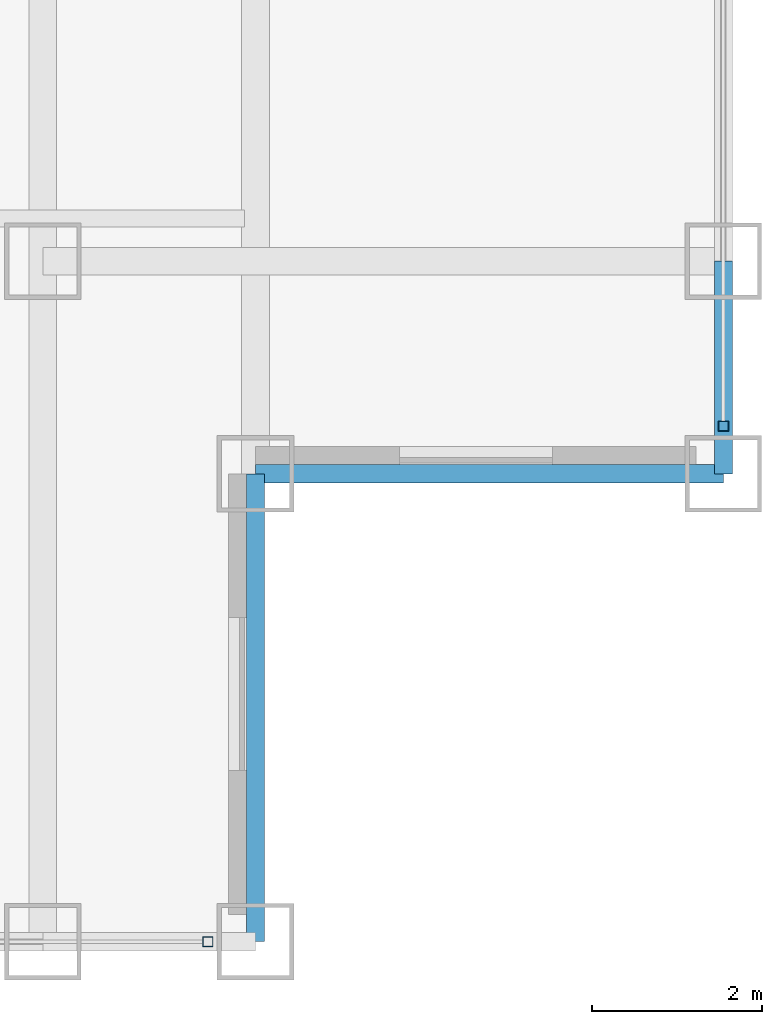
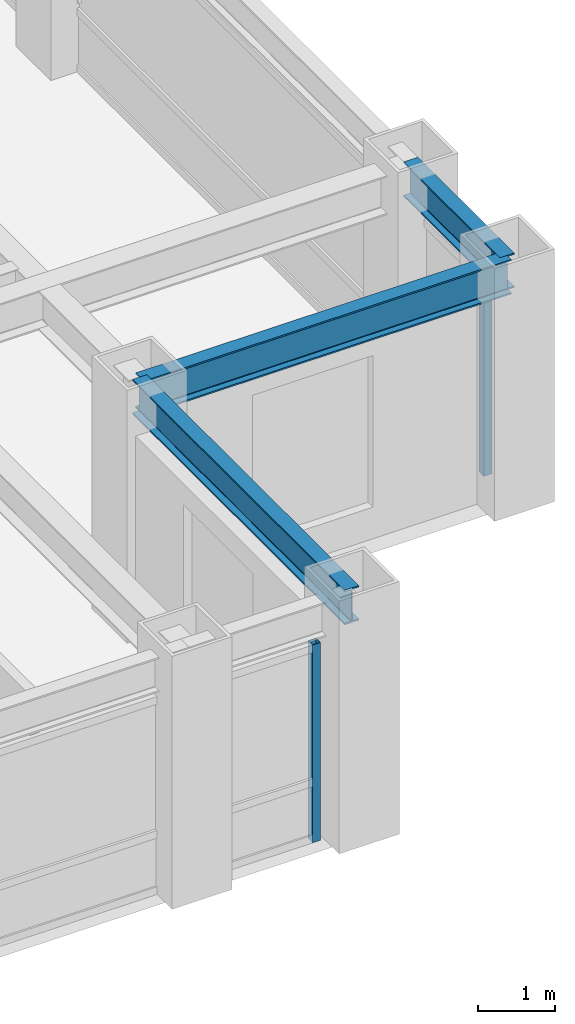
# One storey, part 8 of 22: 3 beams, 2 members, 2 elements without a shape of their own.
"""IFC4 building model written with IfcOpenShell, lengths in metres."""

from ifc_helpers import new_model, si_unit, direction, frame, origin, origin_2d, place, context, subcontext, project, spatial, hollow_rectangle, i_section, extrude, source, transform, mapped, material, material_profile, profile_set, type_object, element, aggregate, save


model = new_model("IFC4")

# Units and contexts
model_context = context("Model", 3, precision=1e-05, world=origin(), true_north=direction((0.0, 1.0)))
body_context = subcontext(model_context, "Body", "Model", "MODEL_VIEW")
ifc_project = project(units=[si_unit("LENGTHUNIT", "METRE"), si_unit("AREAUNIT", "SQUARE_METRE"), si_unit("VOLUMEUNIT", "CUBIC_METRE"), si_unit("PLANEANGLEUNIT", "RADIAN"), si_unit("MASSUNIT", "GRAM", prefix="KILO")], contexts=[model_context])

# Site, building, storey
site_placement = place(None, origin())
site = spatial("IfcSite", under=ifc_project, at=site_placement, CompositionType="ELEMENT")
building_placement = place(site_placement, origin())
building = spatial("IfcBuilding", under=site, at=building_placement, Name="Khorayat Bourse Tower", CompositionType="ELEMENT")
storey_placement = place(building_placement, frame((0.0, 0.0, 305.5)))
storey = spatial("IfcBuildingStorey", under=building, at=storey_placement, Name="L72", CompositionType="ELEMENT", Elevation=305.5)

# Beams
ifc_material_1 = material(Name="Steel ASTM A992 Grade 50", Category="steel")
ifc_material_profile_1 = material_profile(ifc_material_1, i_section(OverallWidth=0.214111328125, OverallDepth=0.549072265625, WebThickness=0.0146484375, FlangeThickness=0.023681640625, FilletRadius=0.013916015625, at=origin_2d()), Name="W530X138")
ifc_profile_set_1 = profile_set([ifc_material_profile_1], Name="Steel ASTM A992 Grade 50")
beam_type = type_object("IfcBeamType", Name="BM-SPAN-530", PredefinedType="SPANDREL", material=ifc_profile_set_1)
shared_shape_1 = source(origin(), body_context, "Body", "SweptSolid", [
    extrude(i_section(OverallWidth=0.214111328125, OverallDepth=0.549072265625, WebThickness=0.0146484375, FlangeThickness=0.023681640625, FilletRadius=0.013916015625, at=origin_2d()), origin(), (0.0, 0.0, 1.0), 2.5),
])
beam_placement = place(storey_placement, frame((28.0, -22.5, 3.505615234375), z_axis=(0.0, 1.0, 0.0), x_axis=(-1.0, 0.0, 0.0)))
element("IfcBeam", 1, at=beam_placement, inside=storey, type_object=beam_type, Name="L72 BM-SPAN-530 BM-L72-SPN-034", PredefinedType="SPANDREL", context=body_context, shape_type="MappedRepresentation", body=[
    mapped(shared_shape_1, transform((0.0, 0.0, 0.0), scale=1.0)),
])
shared_shape_2 = source(origin(), body_context, "Body", "SweptSolid", [
    extrude(i_section(OverallWidth=0.214111328125, OverallDepth=0.549072265625, WebThickness=0.0146484375, FlangeThickness=0.023681640625, FilletRadius=0.013916015625, at=origin_2d()), origin(), (0.0, 0.0, 1.0), 5.5),
])
for number, where, z_axis, x_axis, name in (
    (2, (22.5, -28.0, 3.505615234375), (0.0, 1.0, 0.0), (-1.0, 0.0, 0.0), "L72 BM-SPAN-530 BM-L72-SPN-032"),
    (3, (22.5, -22.5, 3.505615234375), (1.0, 0.0, 0.0), (0.0, 1.0, 0.0), "L72 BM-SPAN-530 BM-L72-SPN-033"),
):
    element("IfcBeam", number, at=place(storey_placement, frame(where, z_axis=z_axis, x_axis=x_axis)), inside=storey, type_object=beam_type, Name=name, PredefinedType="SPANDREL", context=body_context, shape_type="MappedRepresentation", body=[
        mapped(shared_shape_2, transform((0.0, 0.0, 0.0), scale=1.0)),
    ])

# Curtain wall, member
ifc_material_2 = material(Name="Aluminium EN AW-6063 T6", Category="aluminium")
curtain_wall_type = type_object("IfcCurtainWallType", Name="CW-SYS-04", PredefinedType="NOTDEFINED", material=ifc_material_2)
curtain_wall_1_placement = place(storey_placement, origin())
curtain_wall_1 = element("IfcCurtainWall", 4, at=curtain_wall_1_placement, inside=storey, type_object=curtain_wall_type, Name="L72 Curtain Wall CW-L72-S1", PredefinedType="NOTDEFINED")
ifc_material_profile_2 = material_profile(ifc_material_2, hollow_rectangle(XDim=0.1201171875, YDim=0.1201171875, WallThickness=0.0048828125, at=origin_2d()), Name="ALU 120x120x5")
ifc_profile_set_2 = profile_set([ifc_material_profile_2], Name="Aluminium EN AW-6063 T6")
member_type = type_object("IfcMemberType", Name="CWM-VERT-120", PredefinedType="MULLION", material=ifc_profile_set_2)
shared_shape_3 = source(origin(), body_context, "Body", "SweptSolid", [
    extrude(hollow_rectangle(XDim=0.1201171875, YDim=0.1201171875, WallThickness=0.0048828125, at=origin_2d()), origin(), (0.0, 0.0, 1.0), 3.1298828125),
])
member_1_placement = place(storey_placement, frame((21.93994140625, -28.0, 0.0), z_axis=(0.0, 0.0, 1.0), x_axis=(0.0, 1.0, 0.0)))
member_1 = element("IfcMember", 5, at=member_1_placement, type_object=member_type, Name="CW-L72-S1 Vertical Mullion 3", PredefinedType="MULLION", context=body_context, shape_type="MappedRepresentation", body=[
    mapped(shared_shape_3, transform((0.0, 0.0, 0.0), scale=1.0)),
])
aggregate(curtain_wall_1, [member_1])

curtain_wall_2_placement = place(storey_placement, origin())
curtain_wall_2 = element("IfcCurtainWall", 6, at=curtain_wall_2_placement, inside=storey, type_object=curtain_wall_type, Name="L72 Curtain Wall CW-L72-E1", PredefinedType="NOTDEFINED")
member_2_placement = place(storey_placement, frame((28.0, -21.93994140625, 0.0), z_axis=(0.0, 0.0, 1.0), x_axis=(-1.0, 0.0, 0.0)))
member_2 = element("IfcMember", 7, at=member_2_placement, type_object=member_type, Name="CW-L72-E1 Vertical Mullion 1", PredefinedType="MULLION", context=body_context, shape_type="MappedRepresentation", body=[
    mapped(shared_shape_3, transform((0.0, 0.0, 0.0), scale=1.0)),
])
aggregate(curtain_wall_2, [member_2])

save(model, "model.ifc")
